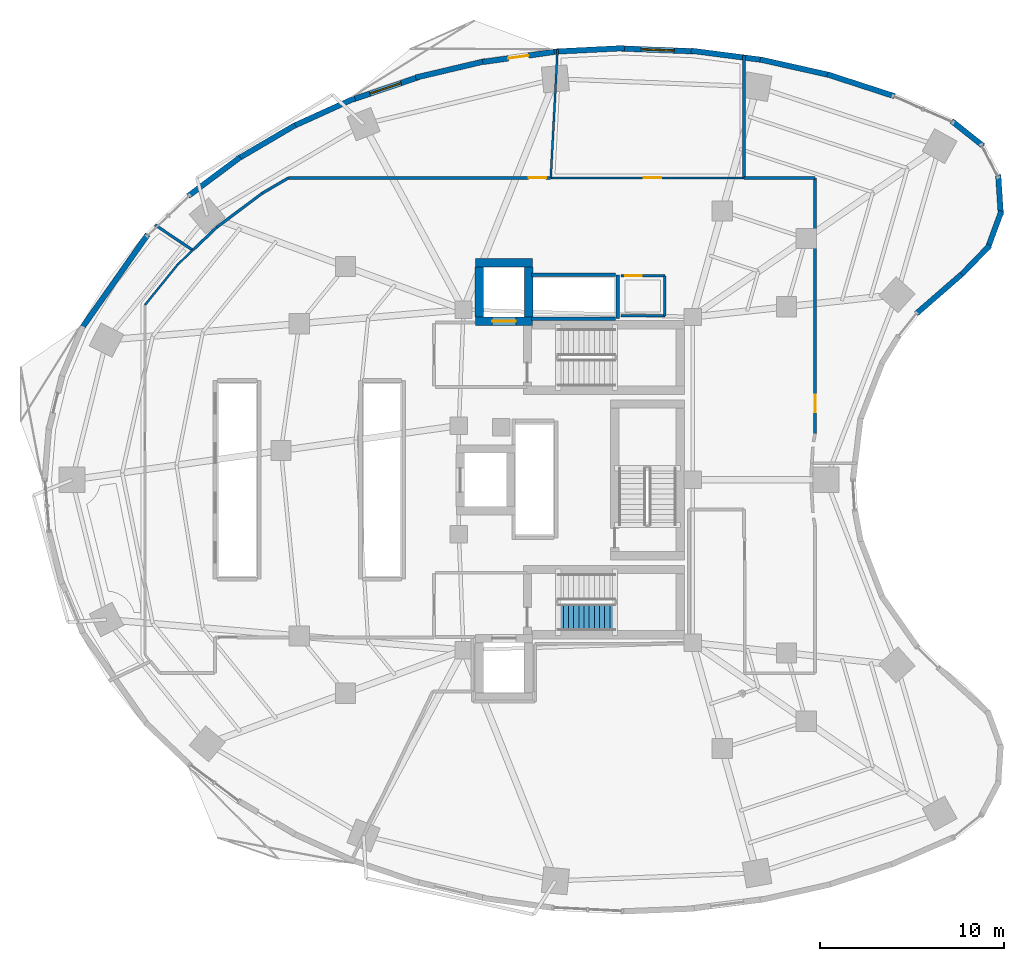
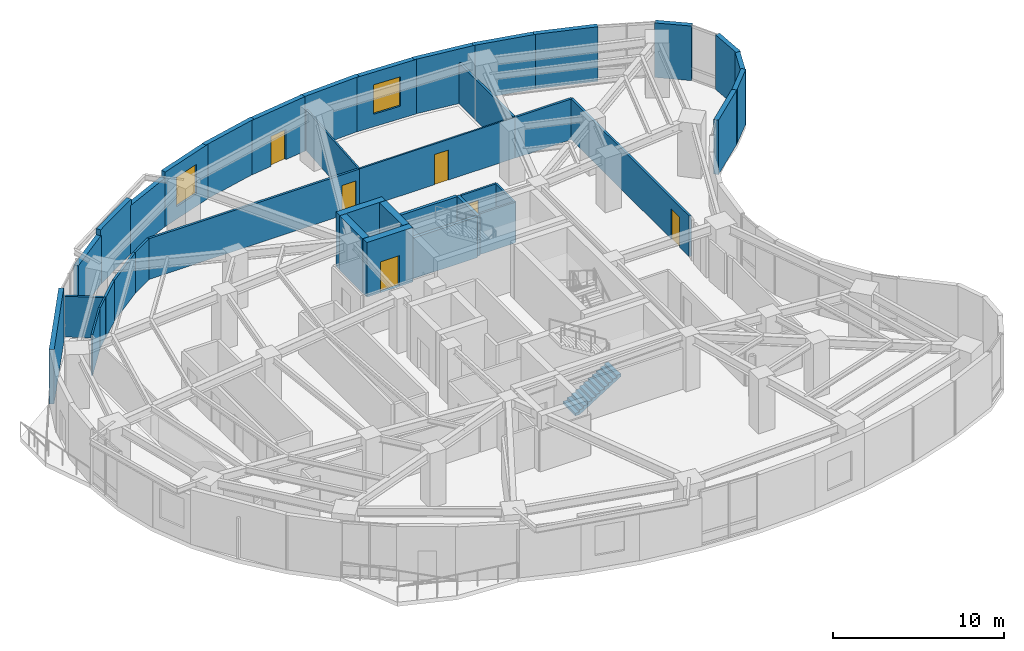
# One storey, part 10 of 13: 39 walls, 6 doors, 2 windows, 1 stair flight, 8 openings, 1 element without a shape of its own.
"""IFC4 building model written with IfcOpenShell, lengths in metres."""

from ifc_helpers import new_model, si_unit, direction, frame, frame_2d, origin, place, context, subcontext, project, spatial, polyline, rectangle, outline, extrude, material, layer, layer_set, type_object, element, fill, aggregate, save


model = new_model("IFC4")

# Units and contexts
model_context = context("Model", 3, precision=1e-05, world=origin(), true_north=direction((0.0, 1.0)))
body_context = subcontext(model_context, "Body", "Model", "MODEL_VIEW")
ifc_project = project(units=[si_unit("LENGTHUNIT", "METRE"), si_unit("AREAUNIT", "SQUARE_METRE"), si_unit("VOLUMEUNIT", "CUBIC_METRE"), si_unit("PLANEANGLEUNIT", "RADIAN"), si_unit("MASSUNIT", "GRAM", prefix="KILO")], contexts=[model_context])

# Site, building, storey
site_placement = place(None, origin())
site = spatial("IfcSite", under=ifc_project, at=site_placement, CompositionType="ELEMENT")
building_placement = place(site_placement, origin())
building = spatial("IfcBuilding", under=site, at=building_placement, Name="Korentha Bioscience Tower", CompositionType="ELEMENT")
storey_placement = place(building_placement, frame((0.0, 0.0, 67.800048828125)))
storey = spatial("IfcBuildingStorey", under=building, at=storey_placement, Name="L15", CompositionType="ELEMENT", Elevation=67.800048828125)

# Wall, opening, door
ifc_material_1 = material(Name="Double-Stud Acoustic Gypsum", Category="gypsum")
ifc_layer_1 = layer(ifc_material_1, 0.14990234375, Name="Double-Stud Acoustic Gypsum")
ifc_layer_set_1 = layer_set([ifc_layer_1], Name="Double-Stud Acoustic Gypsum (IW-L150)")
wall_type_1 = type_object("IfcWallType", Name="Acoustic Laboratory Partition Wall 150", PredefinedType="PARTITIONING", material=ifc_layer_set_1)
wall_1_placement = place(storey_placement, frame((44.2099609375, 29.529541015625, 0.0), z_axis=(0.0, 0.0, 1.0), x_axis=(0.0, 1.0, 0.0)))
wall_1 = element("IfcWall", 1, at=wall_1_placement, inside=storey, type_object=wall_type_1, Name="L15 Principal Investigator Office 03 Entrance Wall", PredefinedType="PARTITIONING", context=body_context, shape_type="SweptSolid", body=[
    extrude(rectangle(XDim=13.870361328125, YDim=0.14990234375, at=frame_2d((6.93505859375, 0.0))), origin(), (0.0, 0.0, 1.0), 2.909912109375),
])
opening_1_placement = place(wall_1_placement, frame((1.150634765625, 0.0, 0.0)))
opening_1 = element("IfcOpeningElement", 2, at=opening_1_placement, cuts=wall_1, Name="Opening ID-10L", PredefinedType="OPENING", context=body_context, shape_type="SweptSolid", body=[
    extrude(rectangle(XDim=0.949951171875, YDim=2.14990234375, at=frame_2d((0.47509765625, 1.074951171875))), frame((0.0, 0.08984375, 0.0), z_axis=(0.0, -1.0, 0.0), x_axis=(1.0, 0.0, 0.0)), (0.0, 0.0, 1.0), 0.1796875),
])
ifc_material_2 = material(Name="Phenolic Laminate Timber Core", Category="wood")
door_type_1 = type_object("IfcDoorType", Name="Laboratory Single Leaf Door 950x2150 Left", OperationType="SINGLE_SWING_LEFT", PredefinedType="DOOR", material=ifc_material_2)
door_1_placement = place(opening_1_placement, origin())
door_1 = element("IfcDoor", 3, at=door_1_placement, inside=storey, type_object=door_type_1, Name="L15 Principal Investigator Office 03 Door", OperationType="SINGLE_SWING_LEFT", OverallHeight=2.14990234375, OverallWidth=0.949951171875, PredefinedType="DOOR", context=body_context, shape_type="SweptSolid", body=[
    extrude(rectangle(XDim=0.949951171875, YDim=2.14990234375, at=frame_2d((0.47509765625, 1.074951171875))), frame((0.0, 0.02490234375, 0.0), z_axis=(0.0, -1.0, 0.0), x_axis=(1.0, 0.0, 0.0)), (0.0, 0.0, 1.0), 0.050048828125),
])
fill(opening_1, door_1)

wall_2_placement = place(storey_placement, frame((29.83349609375, 43.409912109375, 0.0), z_axis=(0.0, 0.0, 1.0), x_axis=(-1.0, 0.0, 0.0)))
wall_2 = element("IfcWall", 4, at=wall_2_placement, inside=storey, type_object=wall_type_1, Name="L15 Sterile Media Preparation Kitchen 05 Entrance Wall", PredefinedType="PARTITIONING", context=body_context, shape_type="SweptSolid", body=[
    extrude(rectangle(XDim=14.24267578125, YDim=0.14990234375, at=frame_2d((7.121337890625, 0.0))), origin(), (0.0, 0.0, 1.0), 2.909912109375),
])
opening_2_placement = place(wall_2_placement, frame((0.239990234375, 0.0, 0.0)))
opening_2 = element("IfcOpeningElement", 5, at=opening_2_placement, cuts=wall_2, Name="Opening ID-10L", PredefinedType="OPENING", context=body_context, shape_type="SweptSolid", body=[
    extrude(rectangle(XDim=0.949951171875, YDim=2.14990234375, at=frame_2d((0.47509765625, 1.074951171875))), frame((0.0, 0.08984375, 0.0), z_axis=(0.0, -1.0, 0.0), x_axis=(1.0, 0.0, 0.0)), (0.0, 0.0, 1.0), 0.1796875),
])
door_2_placement = place(opening_2_placement, origin())
door_2 = element("IfcDoor", 6, at=door_2_placement, inside=storey, type_object=door_type_1, Name="L15 Sterile Media Preparation Kitchen 05 Door", OperationType="SINGLE_SWING_LEFT", OverallHeight=2.14990234375, OverallWidth=0.949951171875, PredefinedType="DOOR", context=body_context, shape_type="SweptSolid", body=[
    extrude(rectangle(XDim=0.949951171875, YDim=2.14990234375, at=frame_2d((0.47509765625, 1.074951171875))), frame((0.0, 0.02490234375, 0.0), z_axis=(0.0, -1.0, 0.0), x_axis=(1.0, 0.0, 0.0)), (0.0, 0.0, 1.0), 0.050048828125),
])
fill(opening_2, door_2)

# Walls
wall_3_placement = place(storey_placement, frame((44.199951171875, 43.409912109375, 0.0), z_axis=(0.0, 0.0, 1.0), x_axis=(-1.0, 0.0, 0.0)))
element("IfcWall", 7, at=wall_3_placement, inside=storey, type_object=wall_type_1, Name="L15 Interior Partition 036", PredefinedType="PARTITIONING", context=body_context, shape_type="SweptSolid", body=[
    extrude(rectangle(XDim=3.847900390625, YDim=0.14990234375, at=frame_2d((1.923828125, 0.0))), origin(), (0.0, 0.0, 1.0), 2.909912109375),
])
wall_4_placement = place(storey_placement, frame((40.35205078125, 43.409912109375, 0.0), z_axis=(0.0, 0.0, 1.0), x_axis=(0.0, 1.0, 0.0)))
element("IfcWall", 8, at=wall_4_placement, inside=storey, type_object=wall_type_1, Name="L15 Interior Partition 037", PredefinedType="PARTITIONING", context=body_context, shape_type="SweptSolid", body=[
    extrude(rectangle(XDim=6.65869140625, YDim=0.14990234375, at=frame_2d((3.329345703125, 0.0))), origin(), (0.0, 0.0, 1.0), 2.909912109375),
])
wall_5_placement = place(storey_placement, frame((15.585693359375, 43.40869140625, 0.0), z_axis=(0.0, 0.0, 1.0), x_axis=(-0.862446636904, -0.506148000582, 0.0)))
element("IfcWall", 9, at=wall_5_placement, inside=storey, type_object=wall_type_1, Name="L15 Interior Partition 039", PredefinedType="PARTITIONING", context=body_context, shape_type="SweptSolid", body=[
    extrude(rectangle(XDim=1.652099609375, YDim=0.14990234375, at=frame_2d((0.826171875, 0.0))), origin(), (0.0, 0.0, 1.0), 2.909912109375),
])
wall_6_placement = place(storey_placement, frame((14.159912109375, 42.57177734375, 0.0), z_axis=(0.0, 0.0, 1.0), x_axis=(-0.800808090092, -0.598921032227, 0.0)))
element("IfcWall", 10, at=wall_6_placement, inside=storey, type_object=wall_type_1, Name="L15 Interior Partition 040", PredefinedType="PARTITIONING", context=body_context, shape_type="SweptSolid", body=[
    extrude(rectangle(XDim=3.078857421875, YDim=0.14990234375, at=frame_2d((1.53955078125, 0.0))), origin(), (0.0, 0.0, 1.0), 2.909912109375),
])
wall_7_placement = place(storey_placement, frame((11.693359375, 40.72705078125, 0.0), z_axis=(0.0, 0.0, 1.0), x_axis=(-0.723662214514, -0.690154330048, 0.0)))
element("IfcWall", 11, at=wall_7_placement, inside=storey, type_object=wall_type_1, Name="L15 Interior Partition 041", PredefinedType="PARTITIONING", context=body_context, shape_type="SweptSolid", body=[
    extrude(rectangle(XDim=1.806884765625, YDim=0.14990234375, at=frame_2d((0.9033203125, 0.0))), origin(), (0.0, 0.0, 1.0), 2.909912109375),
])
wall_8_placement = place(storey_placement, frame((10.3857421875, 39.47998046875, 0.0), z_axis=(0.0, 0.0, 1.0), x_axis=(-0.830276202789, 0.557352157152, 0.0)))
element("IfcWall", 12, at=wall_8_placement, inside=storey, type_object=wall_type_1, Name="L15 Interior Partition 042", PredefinedType="PARTITIONING", context=body_context, shape_type="SweptSolid", body=[
    extrude(rectangle(XDim=2.461669921875, YDim=0.14990234375, at=frame_2d((1.23095703125, 0.0))), origin(), (0.0, 0.0, 1.0), 2.909912109375),
])

# Wall, opening, door
ifc_material_3 = material(Name="Fire-Rated Framed Glass", Category="glass")
ifc_layer_2 = layer(ifc_material_3, 0.110107421875, Name="Fire-Rated Framed Glass")
ifc_layer_set_2 = layer_set([ifc_layer_2], Name="Fire-Rated Framed Glass (IW-G110)")
wall_type_2 = type_object("IfcWallType", Name="Demountable Glazed Office Partition 110", PredefinedType="MOVABLE", material=ifc_layer_set_2)
wall_9_placement = place(storey_placement, frame((40.342041015625, 43.409912109375, 0.0), z_axis=(0.0, 0.0, 1.0), x_axis=(-1.0, 0.0, 0.0)))
wall_9 = element("IfcWall", 13, at=wall_9_placement, inside=storey, type_object=wall_type_2, Name="L15 Research Colloquium Seminar Room 04 Entrance Wall", PredefinedType="MOVABLE", context=body_context, shape_type="SweptSolid", body=[
    extrude(rectangle(XDim=10.49853515625, YDim=0.110107421875, at=frame_2d((5.249267578125, 0.0))), origin(), (0.0, 0.0, 1.0), 2.909912109375),
])
opening_3_placement = place(wall_9_placement, frame((4.49853515625, 0.0, 0.0)))
opening_3 = element("IfcOpeningElement", 14, at=opening_3_placement, cuts=wall_9, Name="Opening ID-10R", PredefinedType="OPENING", context=body_context, shape_type="SweptSolid", body=[
    extrude(rectangle(XDim=0.949951171875, YDim=2.14990234375, at=frame_2d((0.47509765625, 1.074951171875))), frame((0.0, 0.06982421875, 0.0), z_axis=(0.0, -1.0, 0.0), x_axis=(1.0, 0.0, 0.0)), (0.0, 0.0, 1.0), 0.139892578125),
])
door_type_2 = type_object("IfcDoorType", Name="Laboratory Single Leaf Door 950x2150 Right", OperationType="SINGLE_SWING_RIGHT", PredefinedType="DOOR", material=ifc_material_2)
door_3_placement = place(opening_3_placement, origin())
door_3 = element("IfcDoor", 15, at=door_3_placement, inside=storey, type_object=door_type_2, Name="L15 Research Colloquium Seminar Room 04 Door", OperationType="SINGLE_SWING_RIGHT", OverallHeight=2.14990234375, OverallWidth=0.949951171875, PredefinedType="DOOR", context=body_context, shape_type="SweptSolid", body=[
    extrude(rectangle(XDim=0.949951171875, YDim=2.14990234375, at=frame_2d((0.47509765625, 1.074951171875))), frame((0.0, 0.02490234375, 0.0), z_axis=(0.0, -1.0, 0.0), x_axis=(1.0, 0.0, 0.0)), (0.0, 0.0, 1.0), 0.050048828125),
])
fill(opening_3, door_3)

# Walls
wall_10_placement = place(storey_placement, frame((29.843505859375, 43.409912109375, 0.0), z_axis=(0.0, 0.0, 1.0), x_axis=(0.052809646161, 0.998604597061, 0.0)))
element("IfcWall", 16, at=wall_10_placement, inside=storey, type_object=wall_type_2, Name="L15 Interior Partition 038", PredefinedType="MOVABLE", context=body_context, shape_type="SweptSolid", body=[
    extrude(rectangle(XDim=6.999267578125, YDim=0.110107421875, at=frame_2d((3.49951171875, 0.0))), origin(), (0.0, 0.0, 1.0), 2.909912109375),
])
wall_11_placement = place(storey_placement, frame((10.37841796875, 39.472900390625, 0.0), z_axis=(0.0, 0.0, 1.0), x_axis=(-0.723760277906, -0.690051490924, 0.0)))
element("IfcWall", 17, at=wall_11_placement, inside=storey, type_object=wall_type_2, Name="L15 Interior Partition 043", PredefinedType="MOVABLE", context=body_context, shape_type="SweptSolid", body=[
    extrude(rectangle(XDim=1.12255859375, YDim=0.110107421875, at=frame_2d((0.561279296875, 0.0))), origin(), (0.0, 0.0, 1.0), 2.909912109375),
])
wall_12_placement = place(storey_placement, frame((9.565185546875, 38.697265625, 0.0), z_axis=(0.0, 0.0, 1.0), x_axis=(-0.629270515505, -0.777186347227, 0.0)))
element("IfcWall", 18, at=wall_12_placement, inside=storey, type_object=wall_type_2, Name="L15 Interior Partition 044", PredefinedType="MOVABLE", context=body_context, shape_type="SweptSolid", body=[
    extrude(rectangle(XDim=2.8173828125, YDim=0.110107421875, at=frame_2d((1.40869140625, 0.0))), origin(), (0.0, 0.0, 1.0), 2.909912109375),
])

# Wall, opening, window
ifc_material_4 = material(Name="Honed Limestone Precast Concrete C40", Category="masonry")
ifc_layer_3 = layer(ifc_material_4, 0.300048828125, Name="Honed Limestone Precast Concrete C40")
ifc_layer_set_3 = layer_set([ifc_layer_3], Name="Honed Limestone Precast Concrete C40 (EW-ST300)")
wall_type_3 = type_object("IfcWallType", Name="Honed Limestone Cavity Spandrel Wall 300", PredefinedType="STANDARD", material=ifc_layer_set_3)
wall_13_placement = place(storey_placement, frame((37.623046875, 50.288818359375, 0.0), z_axis=(0.0, 0.0, 1.0), x_axis=(-0.999247008469, 0.038799691558, 0.0)))
wall_13 = element("IfcWall", 19, at=wall_13_placement, inside=storey, type_object=wall_type_3, Name="L15 Honed Limestone Spandrel Wall 05", PredefinedType="STANDARD", context=body_context, shape_type="SweptSolid", body=[
    extrude(rectangle(XDim=3.93896484375, YDim=0.300048828125, at=frame_2d((1.969482421875, 0.0))), origin(), (0.0, 0.0, 1.0), 3.89990234375),
])
opening_4_placement = place(wall_13_placement, frame((1.0693359375, 0.0, 0.89990234375)))
opening_4 = element("IfcOpeningElement", 20, at=opening_4_placement, cuts=wall_13, Name="Opening WN-01", PredefinedType="OPENING", context=body_context, shape_type="SweptSolid", body=[
    extrude(rectangle(XDim=1.800048828125, YDim=2.10009765625, at=frame_2d((0.89990234375, 1.050048828125))), frame((0.0, 0.1650390625, 0.0), z_axis=(0.0, -1.0, 0.0), x_axis=(1.0, 0.0, 0.0)), (0.0, 0.0, 1.0), 0.329833984375),
])
ifc_material_5 = material(Name="Thermally Broken Aluminium Triple Glazing", Category="aluminium")
window_type = type_object("IfcWindowType", Name="Triple-Glazed Fixed Bioscience Window 1800x2100", PartitioningType="SINGLE_PANEL", PredefinedType="WINDOW", material=ifc_material_5)
window_1_placement = place(opening_4_placement, origin())
window_1 = element("IfcWindow", 21, at=window_1_placement, inside=storey, type_object=window_type, Name="L15 Facade Window 05", OverallHeight=2.10009765625, OverallWidth=1.800048828125, PartitioningType="SINGLE_PANEL", PredefinedType="WINDOW", context=body_context, shape_type="SweptSolid", body=[
    extrude(rectangle(XDim=1.800048828125, YDim=2.10009765625, at=frame_2d((0.89990234375, 1.050048828125))), frame((0.0, 0.030029296875, 0.0), z_axis=(0.0, -1.0, 0.0), x_axis=(1.0, 0.0, 0.0)), (0.0, 0.0, 1.0), 0.06005859375),
])
fill(opening_4, window_1)

# Wall, opening, door
wall_14_placement = place(storey_placement, frame((30.022705078125, 50.257080078125, 0.0), z_axis=(0.0, 0.0, 1.0), x_axis=(-0.990165573956, -0.139900450869, 0.0)))
wall_14 = element("IfcWall", 22, at=wall_14_placement, inside=storey, type_object=wall_type_3, Name="L15 Balcony Threshold Wall 01", PredefinedType="STANDARD", context=body_context, shape_type="SweptSolid", body=[
    extrude(rectangle(XDim=3.910888671875, YDim=0.300048828125, at=frame_2d((1.95556640625, 0.0))), origin(), (0.0, 0.0, 1.0), 3.89990234375),
])
opening_5_placement = place(wall_14_placement, frame((1.405517578125, 0.0, 0.0)))
opening_5 = element("IfcOpeningElement", 23, at=opening_5_placement, cuts=wall_14, Name="Opening BD-11L", PredefinedType="OPENING", context=body_context, shape_type="SweptSolid", body=[
    extrude(rectangle(XDim=1.10009765625, YDim=2.14990234375, at=frame_2d((0.550048828125, 1.074951171875))), frame((0.0, 0.1650390625, 0.0), z_axis=(0.0, -1.0, 0.0), x_axis=(1.0, 0.0, 0.0)), (0.0, 0.0, 1.0), 0.329833984375),
])
ifc_material_6 = material(Name="Thermally Broken Glazed Aluminium", Category="aluminium")
door_type_3 = type_object("IfcDoorType", Name="Balcony Terrace Glazed Door 1100x2150 Left", OperationType="SINGLE_SWING_LEFT", PredefinedType="DOOR", material=ifc_material_6)
door_4_placement = place(opening_5_placement, origin())
door_4 = element("IfcDoor", 24, at=door_4_placement, inside=storey, type_object=door_type_3, Name="L15 Balcony Access Door 01", OperationType="SINGLE_SWING_LEFT", OverallHeight=2.14990234375, OverallWidth=1.10009765625, PredefinedType="DOOR", context=body_context, shape_type="SweptSolid", body=[
    extrude(rectangle(XDim=1.10009765625, YDim=2.14990234375, at=frame_2d((0.550048828125, 1.074951171875))), frame((0.0, 0.02490234375, 0.0), z_axis=(0.0, -1.0, 0.0), x_axis=(1.0, 0.0, 0.0)), (0.0, 0.0, 1.0), 0.050048828125),
])
fill(opening_5, door_4)

# Wall, opening, window
wall_15_placement = place(storey_placement, frame((22.654541015625, 48.8837890625, 0.0), z_axis=(0.0, 0.0, 1.0), x_axis=(-0.947034337234, -0.321132315564, 0.0)))
wall_15 = element("IfcWall", 25, at=wall_15_placement, inside=storey, type_object=wall_type_3, Name="L15 Honed Limestone Spandrel Wall 09", PredefinedType="STANDARD", context=body_context, shape_type="SweptSolid", body=[
    extrude(rectangle(XDim=3.789794921875, YDim=0.300048828125, at=frame_2d((1.89501953125, 0.0))), origin(), (0.0, 0.0, 1.0), 3.89990234375),
])
opening_6_placement = place(wall_15_placement, frame((0.994873046875, 0.0, 0.89990234375)))
opening_6 = element("IfcOpeningElement", 26, at=opening_6_placement, cuts=wall_15, Name="Opening WN-01", PredefinedType="OPENING", context=body_context, shape_type="SweptSolid", body=[
    extrude(rectangle(XDim=1.800048828125, YDim=2.10009765625, at=frame_2d((0.89990234375, 1.050048828125))), frame((0.0, 0.1650390625, 0.0), z_axis=(0.0, -1.0, 0.0), x_axis=(1.0, 0.0, 0.0)), (0.0, 0.0, 1.0), 0.329833984375),
])
window_2_placement = place(opening_6_placement, origin())
window_2 = element("IfcWindow", 27, at=window_2_placement, inside=storey, type_object=window_type, Name="L15 Facade Window 09", OverallHeight=2.10009765625, OverallWidth=1.800048828125, PartitioningType="SINGLE_PANEL", PredefinedType="WINDOW", context=body_context, shape_type="SweptSolid", body=[
    extrude(rectangle(XDim=1.800048828125, YDim=2.10009765625, at=frame_2d((0.89990234375, 1.050048828125))), frame((0.0, 0.030029296875, 0.0), z_axis=(0.0, -1.0, 0.0), x_axis=(1.0, 0.0, 0.0)), (0.0, 0.0, 1.0), 0.06005859375),
])
fill(opening_6, window_2)

# Walls
wall_16_placement = place(storey_placement, frame((48.524658203125, 47.84912109375, 0.0), z_axis=(0.0, 0.0, 1.0), x_axis=(-0.950965833732, 0.309295947393, 0.0)))
element("IfcWall", 28, at=wall_16_placement, inside=storey, type_object=wall_type_3, Name="L15 Limestone Perimeter Closure Wall 02", PredefinedType="STANDARD", context=body_context, shape_type="SweptSolid", body=[
    extrude(rectangle(XDim=3.840087890625, YDim=0.300048828125, at=frame_2d((1.919921875, 0.0))), origin(), (0.0, 0.0, 1.0), 3.89990234375),
])
wall_17_placement = place(storey_placement, frame((45.03955078125, 48.9912109375, 0.0), z_axis=(0.0, 0.0, 1.0), x_axis=(-0.975868573345, 0.218358713032, 0.0)))
element("IfcWall", 29, at=wall_17_placement, inside=storey, type_object=wall_type_3, Name="L15 Limestone Perimeter Closure Wall 03", PredefinedType="STANDARD", context=body_context, shape_type="SweptSolid", body=[
    extrude(rectangle(XDim=3.90869140625, YDim=0.300048828125, at=frame_2d((1.954345703125, 0.0))), origin(), (0.0, 0.0, 1.0), 3.89990234375),
])
wall_18_placement = place(storey_placement, frame((41.39501953125, 49.814697265625, 0.0), z_axis=(0.0, 0.0, 1.0), x_axis=(-0.991734095036, 0.128310111617, 0.0)))
element("IfcWall", 30, at=wall_18_placement, inside=storey, type_object=wall_type_3, Name="L15 Limestone Perimeter Closure Wall 04", PredefinedType="STANDARD", context=body_context, shape_type="SweptSolid", body=[
    extrude(rectangle(XDim=3.955810546875, YDim=0.300048828125, at=frame_2d((1.97802734375, 0.0))), origin(), (0.0, 0.0, 1.0), 3.89990234375),
])
wall_19_placement = place(storey_placement, frame((33.84033203125, 50.46337890625, 0.0), z_axis=(0.0, 0.0, 1.0), x_axis=(-0.998732359232, -0.050335619826, 0.0)))
element("IfcWall", 31, at=wall_19_placement, inside=storey, type_object=wall_type_3, Name="L15 Limestone Perimeter Closure Wall 06", PredefinedType="STANDARD", context=body_context, shape_type="SweptSolid", body=[
    extrude(rectangle(XDim=3.977294921875, YDim=0.300048828125, at=frame_2d((1.98876953125, 0.0))), origin(), (0.0, 0.0, 1.0), 3.89990234375),
])
wall_20_placement = place(storey_placement, frame((26.29736328125, 49.7587890625, 0.0), z_axis=(0.0, 0.0, 1.0), x_axis=(-0.973197600754, -0.229970497863, 0.0)))
element("IfcWall", 32, at=wall_20_placement, inside=storey, type_object=wall_type_3, Name="L15 Limestone Perimeter Closure Wall 08", PredefinedType="STANDARD", context=body_context, shape_type="SweptSolid", body=[
    extrude(rectangle(XDim=3.9013671875, YDim=0.300048828125, at=frame_2d((1.95068359375, 0.0))), origin(), (0.0, 0.0, 1.0), 3.89990234375),
])
wall_21_placement = place(storey_placement, frame((19.201416015625, 47.7431640625, 0.0), z_axis=(0.0, 0.0, 1.0), x_axis=(-0.910623406862, -0.413237233166, 0.0)))
element("IfcWall", 33, at=wall_21_placement, inside=storey, type_object=wall_type_3, Name="L15 Limestone Perimeter Closure Wall 10", PredefinedType="STANDARD", context=body_context, shape_type="SweptSolid", body=[
    extrude(rectangle(XDim=3.73974609375, YDim=0.300048828125, at=frame_2d((1.869873046875, 0.0))), origin(), (0.0, 0.0, 1.0), 3.469970703125),
])
wall_22_placement = place(storey_placement, frame((15.95068359375, 46.27783203125, 0.0), z_axis=(0.0, 0.0, 1.0), x_axis=(-0.8624654944, -0.506115867139, 0.0)))
element("IfcWall", 34, at=wall_22_placement, inside=storey, type_object=wall_type_3, Name="L15 Limestone Perimeter Closure Wall 11", PredefinedType="STANDARD", context=body_context, shape_type="SweptSolid", body=[
    extrude(rectangle(XDim=3.63525390625, YDim=0.300048828125, at=frame_2d((1.817626953125, 0.0))), origin(), (0.0, 0.0, 1.0), 3.89990234375),
])
wall_23_placement = place(storey_placement, frame((12.96142578125, 44.53515625, 0.0), z_axis=(0.0, 0.0, 1.0), x_axis=(-0.800823020995, -0.598901067827, 0.0)))
element("IfcWall", 35, at=wall_23_placement, inside=storey, type_object=wall_type_3, Name="L15 Limestone Perimeter Closure Wall 12", PredefinedType="STANDARD", context=body_context, shape_type="SweptSolid", body=[
    extrude(rectangle(XDim=3.520751953125, YDim=0.300048828125, at=frame_2d((1.76025390625, 0.0))), origin(), (0.0, 0.0, 1.0), 3.469970703125),
])
wall_24_placement = place(storey_placement, frame((7.935791015625, 40.333251953125, 0.0), z_axis=(0.0, 0.0, 1.0), x_axis=(-0.575165804445, -0.818036855769, 0.0)))
element("IfcWall", 36, at=wall_24_placement, inside=storey, type_object=wall_type_3, Name="L15 Limestone Perimeter Closure Wall 14", PredefinedType="STANDARD", context=body_context, shape_type="SweptSolid", body=[
    extrude(rectangle(XDim=6.295654296875, YDim=0.300048828125, at=frame_2d((3.14794921875, 0.0))), origin(), (0.0, 0.0, 1.0), 3.89990234375),
])
wall_25_placement = place(storey_placement, frame((49.708984375, 36.029296875, 0.0), z_axis=(0.0, 0.0, 1.0), x_axis=(0.754746490246, 0.656016566454, 0.0)))
element("IfcWall", 37, at=wall_25_placement, inside=storey, type_object=wall_type_3, Name="L15 Limestone Perimeter Closure Wall 56", PredefinedType="STANDARD", context=body_context, shape_type="SweptSolid", body=[
    extrude(rectangle(XDim=3.4296875, YDim=0.300048828125, at=frame_2d((1.71484375, 0.0))), origin(), (0.0, 0.0, 1.0), 3.89990234375),
])
wall_26_placement = place(storey_placement, frame((52.1728515625, 38.1611328125, 0.0), z_axis=(0.0, 0.0, 1.0), x_axis=(0.695404695719, 0.718618333451, 0.0)))
element("IfcWall", 38, at=wall_26_placement, inside=storey, type_object=wall_type_3, Name="L15 Limestone Perimeter Closure Wall 58", PredefinedType="STANDARD", context=body_context, shape_type="SweptSolid", body=[
    extrude(rectangle(XDim=2.1875, YDim=0.300048828125, at=frame_2d((1.09375, 0.0))), origin(), (0.0, 0.0, 1.0), 3.89990234375),
])
for number, where, z_axis, x_axis, name in (
    (39, (53.580078125, 39.551513671875, 0.0), (0.0, 0.0, 1.0), (0.344939866054, 0.938624785954, 0.0), "L15 Limestone Perimeter Closure Wall 59"),
    (40, (54.303955078125, 41.392578125, 0.0), (0.0, 0.0, 1.0), (-0.064615302336, 0.99791024782, 0.0), "L15 Limestone Perimeter Closure Wall 60"),
    (41, (53.343994140625, 45.142822265625, 0.0), (0.0, 0.0, 1.0), (-0.782282158644, 0.622924252432, 0.0), "L15 Limestone Perimeter Closure Wall 62"),
):
    element("IfcWall", number, at=place(storey_placement, frame(where, z_axis=z_axis, x_axis=x_axis)), inside=storey, type_object=wall_type_3, Name=name, PredefinedType="STANDARD", context=body_context, shape_type="SweptSolid", body=[
        extrude(rectangle(XDim=2.187744140625, YDim=0.300048828125, at=frame_2d((1.09375, 0.0))), origin(), (0.0, 0.0, 1.0), 3.89990234375),
    ])
ifc_material_7 = material(Name="Autoclaved Aerated Concrete Block C25", Category="concrete")
ifc_layer_4 = layer(ifc_material_7, 0.199951171875, Name="Autoclaved Aerated Concrete Block C25")
ifc_layer_set_4 = layer_set([ifc_layer_4], Name="Autoclaved Aerated Concrete Block C25 (IW-S200)")
wall_type_4 = type_object("IfcWallType", Name="Lift and Riser Shaft Enclosure Wall 200", PredefinedType="PARTITIONING", material=ifc_layer_set_4)
wall_27_placement = place(storey_placement, frame((33.489990234375, 35.760009765625, 0.0), z_axis=(0.0, 0.0, 1.0), x_axis=(0.0, 1.0, 0.0)))
element("IfcWall", 42, at=wall_27_placement, inside=storey, type_object=wall_type_4, Name="L15 Lift Bank OBS Shaft Wall +X", PredefinedType="PARTITIONING", context=body_context, shape_type="SweptSolid", body=[
    extrude(rectangle(XDim=2.3798828125, YDim=0.199951171875, at=frame_2d((1.18994140625, 0.0))), origin(), (0.0, 0.0, 1.0), 2.909912109375),
])
for number, where, z_axis, x_axis, name in (
    (43, (28.800048828125, 35.760009765625, 0.0), (0.0, 0.0, 1.0), (1.0, 0.0, 0.0), "L15 Lift Bank OBS Shaft Wall -Y"),
    (44, (28.800048828125, 38.139892578125, 0.0), (0.0, 0.0, 1.0), (1.0, 0.0, 0.0), "L15 Lift Bank OBS Shaft Wall +Y"),
):
    element("IfcWall", number, at=place(storey_placement, frame(where, z_axis=z_axis, x_axis=x_axis)), inside=storey, type_object=wall_type_4, Name=name, PredefinedType="PARTITIONING", context=body_context, shape_type="SweptSolid", body=[
        extrude(rectangle(XDim=4.570068359375, YDim=0.199951171875, at=frame_2d((2.28515625, 0.0))), origin(), (0.0, 0.0, 1.0), 2.909912109375),
    ])
ifc_material_8 = material(Name="Concrete C80", Category="concrete")
ifc_layer_5 = layer(ifc_material_8, 0.449951171875, Name="Concrete C80")
ifc_layer_set_5 = layer_set([ifc_layer_5], Name="Concrete C80 (CW-C80)")
wall_type_5 = type_object("IfcWallType", Name="Lower Core Shear Wall 450", PredefinedType="SHEAR", material=ifc_layer_set_5)
wall_28_placement = place(storey_placement, frame((25.75, 38.800048828125, 0.0), z_axis=(0.0, 0.0, 1.0), x_axis=(1.0, 0.0, 0.0)))
element("IfcWall", 45, at=wall_28_placement, inside=storey, type_object=wall_type_5, Name="L15 Core Shear Wall FFL2-N", PredefinedType="SHEAR", context=body_context, shape_type="SweptSolid", body=[
    extrude(rectangle(XDim=3.10009765625, YDim=0.449951171875, at=frame_2d((1.550048828125, 0.0))), origin(), (0.0, 0.0, 1.0), 3.89990234375),
])

# Wall, opening, door
wall_29_placement = place(storey_placement, frame((25.75, 35.6201171875, 0.0), z_axis=(0.0, 0.0, 1.0), x_axis=(1.0, 0.0, 0.0)))
wall_29 = element("IfcWall", 46, at=wall_29_placement, inside=storey, type_object=wall_type_5, Name="L15 Core Shear Wall FFL2-S", PredefinedType="SHEAR", context=body_context, shape_type="SweptSolid", body=[
    extrude(rectangle(XDim=3.10009765625, YDim=0.449951171875, at=frame_2d((1.550048828125, 0.0))), origin(), (0.0, 0.0, 1.0), 3.89990234375),
])
opening_7_placement = place(wall_29_placement, frame((0.89990234375, 0.0, 0.0)))
opening_7 = element("IfcOpeningElement", 47, at=opening_7_placement, cuts=wall_29, Name="Opening LD-13", PredefinedType="OPENING", context=body_context, shape_type="SweptSolid", body=[
    extrude(rectangle(XDim=1.300048828125, YDim=2.199951171875, at=frame_2d((0.64990234375, 1.10009765625))), frame((0.0, 0.23974609375, 0.0), z_axis=(0.0, -1.0, 0.0), x_axis=(1.0, 0.0, 0.0)), (0.0, 0.0, 1.0), 0.479736328125),
])
ifc_material_9 = material(Name="Brushed Stainless Steel 316", Category="steel")
door_type_4 = type_object("IfcDoorType", Name="Service & Firefighting Lift Landing Door 1300x2300", OperationType="DOUBLE_DOOR_SLIDING", PredefinedType="DOOR", material=ifc_material_9)
door_5_placement = place(opening_7_placement, origin())
door_5 = element("IfcDoor", 48, at=door_5_placement, inside=storey, type_object=door_type_4, Name="L15 FFL-2 Sliding Lift Landing Door", OperationType="DOUBLE_DOOR_SLIDING", OverallHeight=2.199951171875, OverallWidth=1.300048828125, PredefinedType="DOOR", context=body_context, shape_type="SweptSolid", body=[
    extrude(rectangle(XDim=1.300048828125, YDim=2.199951171875, at=frame_2d((0.64990234375, 1.10009765625))), frame((0.0, 0.02490234375, 0.0), z_axis=(0.0, -1.0, 0.0), x_axis=(1.0, 0.0, 0.0)), (0.0, 0.0, 1.0), 0.050048828125),
])
fill(opening_7, door_5)

# Walls
for number, where, z_axis, x_axis, name in (
    (49, (25.949951171875, 35.860107421875, 0.0), (0.0, 0.0, 1.0), (0.0, 1.0, 0.0), "L15 Core Shear Wall FFL2-W"),
    (50, (28.64990234375, 35.860107421875, 0.0), (0.0, 0.0, 1.0), (0.0, 1.0, 0.0), "L15 Core Shear Wall FFL2-E"),
):
    element("IfcWall", number, at=place(storey_placement, frame(where, z_axis=z_axis, x_axis=x_axis)), inside=storey, type_object=wall_type_5, Name=name, PredefinedType="SHEAR", context=body_context, shape_type="SweptSolid", body=[
        extrude(rectangle(XDim=2.699951171875, YDim=0.449951171875, at=frame_2d((1.35009765625, 0.0))), origin(), (0.0, 0.0, 1.0), 3.89990234375),
    ])

# Wall, opening, door
ifc_material_10 = material(Name="Cement-Board Steel Stud", Category="steel")
ifc_layer_6 = layer(ifc_material_10, 0.1298828125, Name="Cement-Board Steel Stud")
ifc_layer_set_6 = layer_set([ifc_layer_6], Name="Cement-Board Steel Stud (IW-W130)")
wall_type_6 = type_object("IfcWallType", Name="Wet-Area Moisture-Resistant Partition 130", PredefinedType="PARTITIONING", material=ifc_layer_set_6)
wall_30_placement = place(storey_placement, frame((33.64990234375, 38.090087890625, 0.0), z_axis=(0.0, 0.0, 1.0), x_axis=(0.999999994783, -0.000102145045, 0.0)))
wall_30 = element("IfcWall", 51, at=wall_30_placement, inside=storey, type_object=wall_type_6, Name="L15 Accessible Staff WC Entrance Wall", PredefinedType="PARTITIONING", context=body_context, shape_type="SweptSolid", body=[
    extrude(rectangle(XDim=2.39013671875, YDim=0.1298828125, at=frame_2d((1.195068359375, 0.0))), origin(), (0.0, 0.0, 1.0), 2.909912109375),
])
opening_8_placement = place(wall_30_placement, frame((0.239990234375, 0.0, 0.0)))
opening_8 = element("IfcOpeningElement", 52, at=opening_8_placement, cuts=wall_30, Name="Opening ID-09R", PredefinedType="OPENING", context=body_context, shape_type="SweptSolid", body=[
    extrude(rectangle(XDim=0.89990234375, YDim=2.14990234375, at=frame_2d((0.449951171875, 1.074951171875))), frame((0.0, 0.079833984375, 0.0), z_axis=(0.0, -1.0, 0.0), x_axis=(1.0, 0.0, 0.0)), (0.0, 0.0, 1.0), 0.15966796875),
])
ifc_material_11 = material(Name="Moisture-Resistant HPL Leaf", Category="wood")
door_type_5 = type_object("IfcDoorType", Name="Restroom & Accessible WC Door 900x2150 Right", OperationType="SINGLE_SWING_RIGHT", PredefinedType="DOOR", material=ifc_material_11)
door_6_placement = place(opening_8_placement, origin())
door_6 = element("IfcDoor", 53, at=door_6_placement, inside=storey, type_object=door_type_5, Name="L15 Accessible Staff WC Door", OperationType="SINGLE_SWING_RIGHT", OverallHeight=2.14990234375, OverallWidth=0.89990234375, PredefinedType="DOOR", context=body_context, shape_type="SweptSolid", body=[
    extrude(rectangle(XDim=0.89990234375, YDim=2.14990234375, at=frame_2d((0.449951171875, 1.074951171875))), frame((0.0, 0.02490234375, 0.0), z_axis=(0.0, -1.0, 0.0), x_axis=(1.0, 0.0, 0.0)), (0.0, 0.0, 1.0), 0.050048828125),
])
fill(opening_8, door_6)

# Walls
wall_31_placement = place(storey_placement, frame((36.0400390625, 38.08984375, 0.0), z_axis=(0.0, 0.0, 1.0), x_axis=(0.0, -1.0, 0.0)))
element("IfcWall", 54, at=wall_31_placement, inside=storey, type_object=wall_type_6, Name="L15 Interior Partition 008", PredefinedType="PARTITIONING", context=body_context, shape_type="SweptSolid", body=[
    extrude(rectangle(XDim=2.179931640625, YDim=0.1298828125, at=frame_2d((1.08984375, 0.0))), origin(), (0.0, 0.0, 1.0), 2.909912109375),
])
wall_32_placement = place(storey_placement, frame((36.0400390625, 35.909912109375, 0.0), z_axis=(0.0, 0.0, 1.0), x_axis=(-1.0, 0.0, 0.0)))
element("IfcWall", 55, at=wall_32_placement, inside=storey, type_object=wall_type_6, Name="L15 Interior Partition 009", PredefinedType="PARTITIONING", context=body_context, shape_type="SweptSolid", body=[
    extrude(rectangle(XDim=2.39013671875, YDim=0.1298828125, at=frame_2d((1.195068359375, 0.0))), origin(), (0.0, 0.0, 1.0), 2.909912109375),
])

# Stair, stair flight
ifc_material_12 = material(Name="Precast Concrete C50", Category="concrete")
stair_type = type_object("IfcStairType", Name="Core Exit Dog-Leg Stair 1450", PredefinedType="HALF_TURN_STAIR", material=ifc_material_12)
stair_placement = place(storey_placement, origin())
stair = element("IfcStair", 56, at=stair_placement, inside=storey, type_object=stair_type, Name="L15 Tower South Pressurized Exit Stair ST-2", PredefinedType="HALF_TURN_STAIR")
stair_flight_type = type_object("IfcStairFlightType", Name="Core Exit Dog-Leg Stair 1450 Flight", PredefinedType="STRAIGHT", material=ifc_material_12)
stair_flight_placement = place(storey_placement, frame((30.25, 19.52490234375, 0.0), z_axis=(0.0, 0.0, 1.0), x_axis=(1.0, 0.0, 0.0)))
stair_flight = element("IfcStairFlight", 57, at=stair_flight_placement, type_object=stair_flight_type, Name="ST-2 flight 1", NumberOfRisers=12, NumberOfTreads=11, PredefinedType="STRAIGHT", RiserHeight=0.175, TreadLength=0.28, context=body_context, shape_type="SweptSolid", body=[
    extrude(outline(polyline([(0.0, 0.0), (0.0, 0.175048828125), (0.280029296875, 0.175048828125), (0.280029296875, 0.35009765625), (0.56005859375, 0.35009765625), (0.56005859375, 0.52490234375), (0.840087890625, 0.52490234375), (0.840087890625, 0.699951171875), (1.1201171875, 0.699951171875), (1.1201171875, 0.875), (1.39990234375, 0.875), (1.39990234375, 1.050048828125), (1.679931640625, 1.050048828125), (1.679931640625, 1.22509765625), (1.9599609375, 1.22509765625), (1.9599609375, 1.39990234375), (2.239990234375, 1.39990234375), (2.239990234375, 1.574951171875), (2.52001953125, 1.574951171875), (2.52001953125, 1.75), (2.800048828125, 1.75), (2.800048828125, 1.925048828125), (3.080078125, 1.925048828125), (3.080078125, 2.10009765625), (3.080078125, 1.736328125), (0.3017578125, 0.0), (0.0, 0.0)])), frame((0.0, 0.72509765625, 0.0), z_axis=(0.0, -1.0, 0.0), x_axis=(1.0, 0.0, 0.0)), (0.0, 0.0, 1.0), 1.449951171875),
])
aggregate(stair, [stair_flight])

save(model, "model.ifc")
